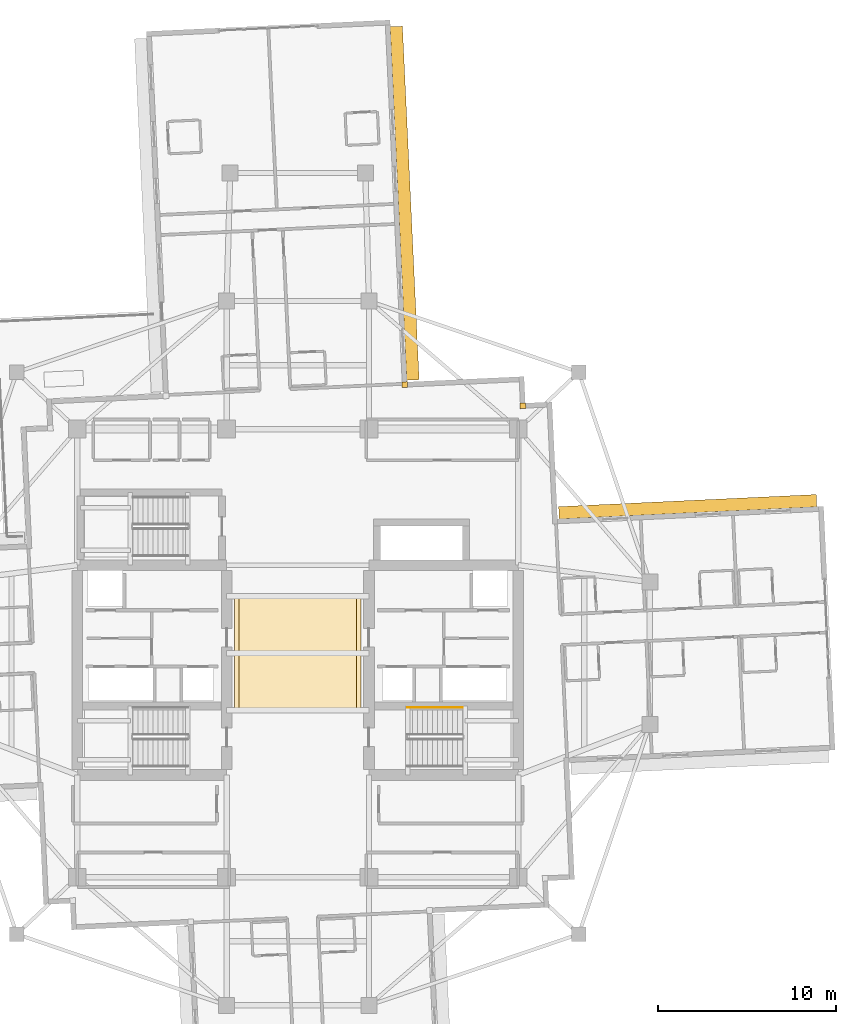
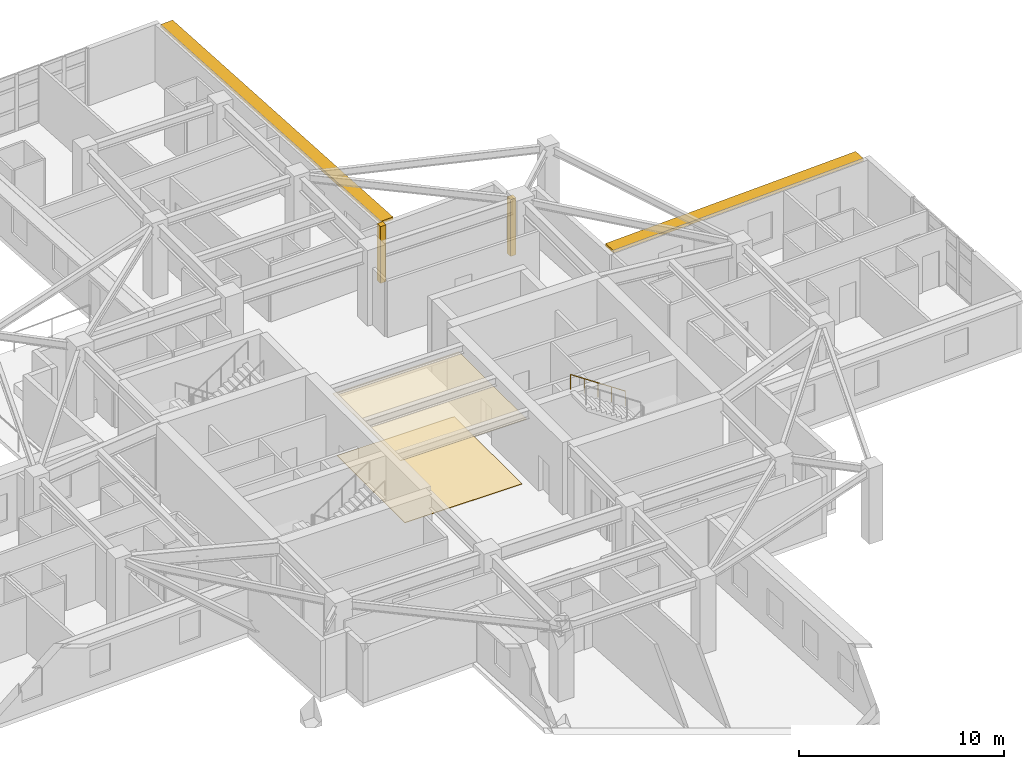
# One storey, part 22 of 22: 4 coverings, 2 shading devices, 1 railing.
"""IFC4 building model written with IfcOpenShell, lengths in metres."""

from ifc_helpers import new_model, si_unit, direction, frame, origin, origin_with_axes, origin_2d, place, context, subcontext, project, spatial, rectangle, circle, extrude, material, layer, layer_set, type_object, element, save


model = new_model("IFC4")

# Units and contexts
model_context = context("Model", 3, precision=1e-05, world=origin(), true_north=direction((0.0, 1.0)))
body_context = subcontext(model_context, "Body", "Model", "MODEL_VIEW")
ifc_project = project(units=[si_unit("LENGTHUNIT", "METRE"), si_unit("AREAUNIT", "SQUARE_METRE"), si_unit("VOLUMEUNIT", "CUBIC_METRE"), si_unit("PLANEANGLEUNIT", "RADIAN"), si_unit("MASSUNIT", "GRAM", prefix="KILO")], contexts=[model_context])

# Site, building, storey
site_placement = place(None, origin())
site = spatial("IfcSite", under=ifc_project, at=site_placement, CompositionType="ELEMENT")
building_placement = place(site_placement, origin())
building = spatial("IfcBuilding", under=site, at=building_placement, Name="Qingluan Cross Belvedere", CompositionType="ELEMENT")
storey_placement = place(building_placement, frame((0.0, 0.0, 196.800048828125)))
storey = spatial("IfcBuildingStorey", under=building, at=storey_placement, Name="L49", CompositionType="ELEMENT", Elevation=196.800048828125)

# Coverings
ifc_material_1 = material(Name="Perforated gypsum acoustic ceiling board")
ifc_layer_1 = layer(ifc_material_1, 0.0400390625, Name="AcousticLobbyCeiling_40")
ifc_layer_set_1 = layer_set([ifc_layer_1], Name="Perforated gypsum acoustic ceiling board")
covering_type_1 = type_object("IfcCoveringType", Name="AcousticLobbyCeiling_40", PredefinedType="CEILING", material=ifc_layer_set_1)
covering_1_placement = place(storey_placement, frame((0.0, 0.0, 3.77197265625), z_axis=(0.0, 0.0, 1.0), x_axis=(1.0, 0.0, 0.0)))
element("IfcCovering", 1, at=covering_1_placement, inside=storey, type_object=covering_type_1, Name="Central lobby acoustic ceiling L49", PredefinedType="CEILING", context=body_context, shape_type="SweptSolid", body=[
    extrude(rectangle(XDim=7.10009765625, YDim=6.60009765625, at=origin_2d()), origin(), (0.0, 0.0, 1.0), 0.0400390625),
])
ifc_material_2 = material(Name="Precast concrete C45", Category="concrete")
ifc_layer_2 = layer(ifc_material_2, 0.1201171875, Name="ConcreteSpandrelCladding_120")
ifc_layer_set_2 = layer_set([ifc_layer_2], Name="Precast concrete C45")
covering_type_2 = type_object("IfcCoveringType", Name="ConcreteSpandrelCladding_120", PredefinedType="CLADDING", material=ifc_layer_set_2)
for number, where, z_axis, x_axis, name in (
    (2, (12.65869140625, 13.911865234375, 0.0), (0.0, 0.0, 1.0), (0.998889874962, 0.04710645071, 0.0), "Corner closure L49-NE1"),
    (3, (6.015380859375, 15.10009765625, 0.0), (0.0, 0.0, 1.0), (0.998889874962, 0.04710645071, 0.0), "Corner closure L49-NE2"),
):
    element("IfcCovering", number, at=place(storey_placement, frame(where, z_axis=z_axis, x_axis=x_axis)), inside=storey, type_object=covering_type_2, Name=name, PredefinedType="CLADDING", context=body_context, shape_type="SweptSolid", body=[
        extrude(rectangle(XDim=0.320068359375, YDim=0.320068359375, at=origin_2d()), origin(), (0.0, 0.0, 1.0), 3.3798828125),
    ])

# Shading devices
ifc_material_3 = material(Name="Precast concrete C45", Category="concrete")
ifc_layer_3 = layer(ifc_material_3, 0.139892578125, Name="ConcreteSunshadeBand_700")
ifc_layer_set_3 = layer_set([ifc_layer_3], Name="Precast concrete C45")
shading_device_type = type_object("IfcShadingDeviceType", Name="ConcreteSunshadeBand_700", PredefinedType="USERDEFINED", material=ifc_layer_set_3)
shading_device_1_placement = place(storey_placement, frame((21.926513671875, 8.23193359375, 3.2001953125), z_axis=(0.0, 0.0, 1.0), x_axis=(-0.998889750114, -0.047109098032, 0.0)))
element("IfcShadingDevice", 4, at=shading_device_1_placement, inside=storey, type_object=shading_device_type, Name="Concrete SUNSHADE L49-EB", ObjectType="SUNSHADE", PredefinedType="USERDEFINED", context=body_context, shape_type="SweptSolid", body=[
    extrude(rectangle(XDim=14.5, YDim=0.699951171875, at=origin_2d()), origin(), (0.0, 0.0, 1.0), 0.159912109375),
])
shading_device_2_placement = place(storey_placement, frame((6.0048828125, 25.301025390625, 3.2001953125), z_axis=(0.0, 0.0, 1.0), x_axis=(-0.04710941444, 0.998889735192, 0.0)))
element("IfcShadingDevice", 5, at=shading_device_2_placement, inside=storey, type_object=shading_device_type, Name="Concrete SUNSHADE L49-NA", ObjectType="SUNSHADE", PredefinedType="USERDEFINED", context=body_context, shape_type="SweptSolid", body=[
    extrude(rectangle(XDim=19.89990234375, YDim=0.699951171875, at=origin_2d()), origin(), (0.0, 0.0, 1.0), 0.159912109375),
])

# Covering
ifc_material_4 = material(Name="Honed Hubei grey granite stone flooring", Category="masonry")
ifc_layer_4 = layer(ifc_material_4, 0.030029296875, Name="GraniteLobbyFlooring_30")
ifc_layer_set_4 = layer_set([ifc_layer_4], Name="Honed Hubei grey granite stone flooring")
covering_type_3 = type_object("IfcCoveringType", Name="GraniteLobbyFlooring_30", PredefinedType="FLOORING", material=ifc_layer_set_4)
covering_2_placement = place(storey_placement, origin_with_axes())
element("IfcCovering", 6, at=covering_2_placement, inside=storey, type_object=covering_type_3, Name="Central lobby granite flooring L49", PredefinedType="FLOORING", context=body_context, shape_type="SweptSolid", body=[
    extrude(rectangle(XDim=6.60009765625, YDim=6.60009765625, at=origin_2d()), origin(), (0.0, 0.0, 1.0), 0.030029296875),
])

# Railing
ifc_material_5 = material(Name="Brushed stainless steel tubular handrail", Category="steel")
railing_type = type_object("IfcRailingType", Name="StairPitchHandrail_900", PredefinedType="HANDRAIL", material=ifc_material_5)
railing_placement = place(storey_placement, frame((9.260009765625, -3.050048828125, 2.4375)))
element("IfcRailing", 7, at=railing_placement, inside=storey, type_object=railing_type, Name="L49 ST2 stair handrail 2", PredefinedType="HANDRAIL", context=body_context, shape_type="SweptSolid", body=[
    extrude(circle(Radius=0.02392578125, at=origin_2d()), frame((0.0, 0.0, 0.8759765625), z_axis=(-0.830913701846, 0.0, 0.55640131208), x_axis=(0.0, -1.0, 0.0)), (0.0, 0.0, 1.0), 3.706787109375),
    extrude(circle(Radius=0.02099609375, at=origin_2d()), origin(), (0.0, 0.0, 1.0), 0.851806640625),
    extrude(circle(Radius=0.02099609375, at=origin_2d()), frame((-0.77001953125, 0.0, 0.515625)), (0.0, 0.0, 1.0), 0.851806640625),
    extrude(circle(Radius=0.02099609375, at=origin_2d()), frame((-1.5400390625, 0.0, 1.03125)), (0.0, 0.0, 1.0), 0.851806640625),
    extrude(circle(Radius=0.02099609375, at=origin_2d()), frame((-2.31005859375, 0.0, 1.546875)), (0.0, 0.0, 1.0), 0.851806640625),
    extrude(circle(Radius=0.02099609375, at=origin_2d()), frame((-3.080078125, 0.0, 2.0625)), (0.0, 0.0, 1.0), 0.851806640625),
])

save(model, "model.ifc")
